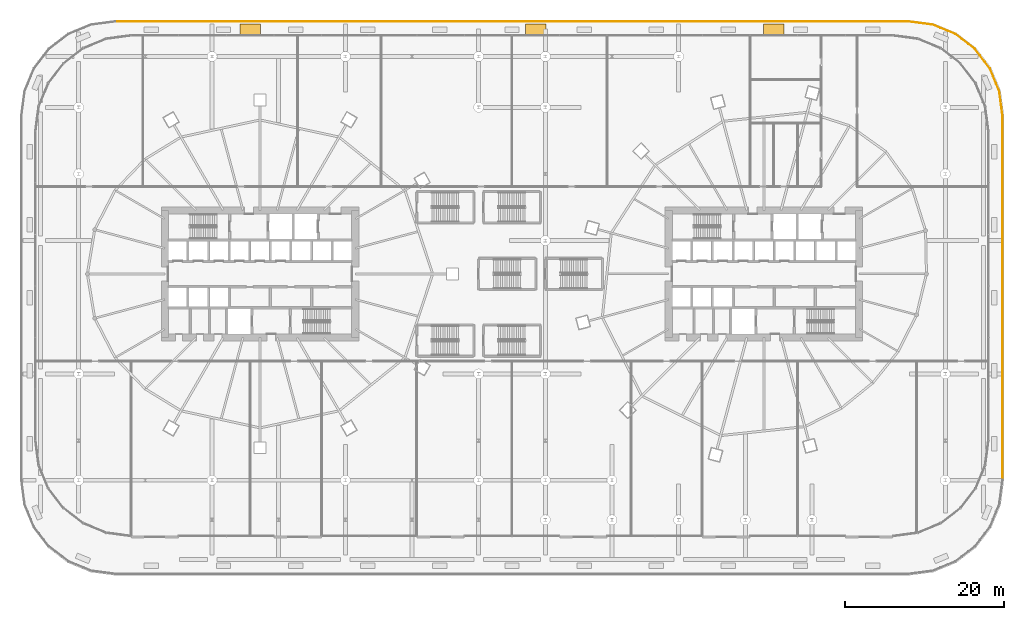
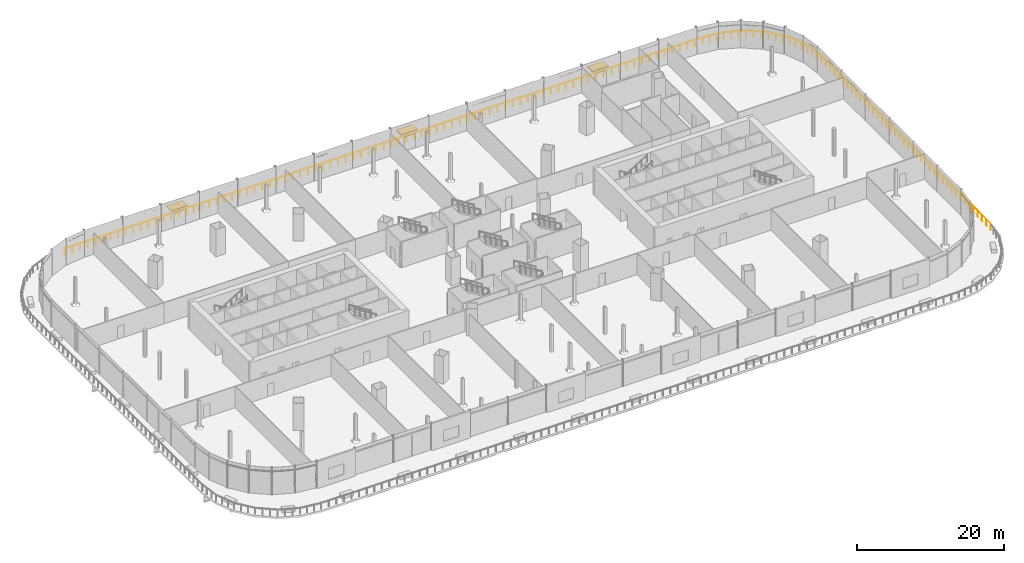
# One storey, part 55 of 56: 3 railings, 3 shading devices.
"""IFC4 building model written with IfcOpenShell, lengths in metres."""

from ifc_helpers import new_model, si_unit, direction, frame, origin, origin_2d, place, context, subcontext, project, spatial, rectangle, circle, extrude, material, layer, layer_set, type_object, element, save


model = new_model("IFC4")

# Units and contexts
model_context = context("Model", 3, precision=1e-05, world=origin(), true_north=direction((0.0, 1.0)))
body_context = subcontext(model_context, "Body", "Model", "MODEL_VIEW")
ifc_project = project(units=[si_unit("LENGTHUNIT", "METRE"), si_unit("AREAUNIT", "SQUARE_METRE"), si_unit("VOLUMEUNIT", "CUBIC_METRE"), si_unit("PLANEANGLEUNIT", "RADIAN"), si_unit("MASSUNIT", "GRAM", prefix="KILO")], contexts=[model_context])

# Site, building, storey
site_placement = place(None, origin())
site = spatial("IfcSite", under=ifc_project, at=site_placement, CompositionType="ELEMENT")
building_placement = place(site_placement, origin())
building = spatial("IfcBuilding", under=site, at=building_placement, Name="Rimbun Link Towers", CompositionType="ELEMENT")
storey_placement = place(building_placement, frame((0.0, 0.0, 16.5)))
storey = spatial("IfcBuildingStorey", under=building, at=storey_placement, Name="L03", CompositionType="ELEMENT", Elevation=16.5)

# Railings
ifc_material_1 = material(Name="Toughened laminated glass, stainless steel grade 316 posts and cap rail", Category="steel")
railing_type = type_object("IfcRailingType", Name="GUARD glass balustrade with stainless cap rail", PredefinedType="BALUSTRADE", material=ifc_material_1)
railing_1_placement = place(storey_placement, frame((61.800048828125, -25.98681640625, 0.0)))
element("IfcRailing", 1, at=railing_1_placement, inside=storey, type_object=railing_type, Name="GUARD glass balustrade", PredefinedType="BALUSTRADE", context=body_context, shape_type="SweptSolid", body=[
    extrude(circle(Radius=0.02392578125, at=origin_2d()), frame((0.0, 0.0, 1.076171875), z_axis=(0.0, 1.0, 0.0), x_axis=(-1.0, 0.0, 0.0)), (0.0, 0.0, 1.0), 45.9736328125),
    extrude(circle(Radius=0.02099609375, at=origin_2d()), origin(), (0.0, 0.0, 1.0), 1.052001953125),
    extrude(circle(Radius=0.02099609375, at=origin_2d()), frame((0.0, 1.1787109375, 0.0)), (0.0, 0.0, 1.0), 1.052001953125),
    extrude(circle(Radius=0.02099609375, at=origin_2d()), frame((0.0, 2.357666015625, 0.0)), (0.0, 0.0, 1.0), 1.052001953125),
    extrude(circle(Radius=0.02099609375, at=origin_2d()), frame((0.0, 3.536376953125, 0.0)), (0.0, 0.0, 1.0), 1.052001953125),
    extrude(circle(Radius=0.02099609375, at=origin_2d()), frame((0.0, 4.71533203125, 0.0)), (0.0, 0.0, 1.0), 1.052001953125),
    extrude(circle(Radius=0.02099609375, at=origin_2d()), frame((0.0, 5.89404296875, 0.0)), (0.0, 0.0, 1.0), 1.052001953125),
    extrude(circle(Radius=0.02099609375, at=origin_2d()), frame((0.0, 7.07275390625, 0.0)), (0.0, 0.0, 1.0), 1.052001953125),
    extrude(circle(Radius=0.02099609375, at=origin_2d()), frame((0.0, 8.251708984375, 0.0)), (0.0, 0.0, 1.0), 1.052001953125),
    extrude(circle(Radius=0.02099609375, at=origin_2d()), frame((0.0, 9.430419921875, 0.0)), (0.0, 0.0, 1.0), 1.052001953125),
    extrude(circle(Radius=0.02099609375, at=origin_2d()), frame((0.0, 10.609375, 0.0)), (0.0, 0.0, 1.0), 1.052001953125),
    extrude(circle(Radius=0.02099609375, at=origin_2d()), frame((0.0, 11.7880859375, 0.0)), (0.0, 0.0, 1.0), 1.052001953125),
    extrude(circle(Radius=0.02099609375, at=origin_2d()), frame((0.0, 12.967041015625, 0.0)), (0.0, 0.0, 1.0), 1.052001953125),
    extrude(circle(Radius=0.02099609375, at=origin_2d()), frame((0.0, 14.145751953125, 0.0)), (0.0, 0.0, 1.0), 1.052001953125),
    extrude(circle(Radius=0.02099609375, at=origin_2d()), frame((0.0, 15.324462890625, 0.0)), (0.0, 0.0, 1.0), 1.052001953125),
    extrude(circle(Radius=0.02099609375, at=origin_2d()), frame((0.0, 16.50341796875, 0.0)), (0.0, 0.0, 1.0), 1.052001953125),
    extrude(circle(Radius=0.02099609375, at=origin_2d()), frame((0.0, 17.68212890625, 0.0)), (0.0, 0.0, 1.0), 1.052001953125),
    extrude(circle(Radius=0.02099609375, at=origin_2d()), frame((0.0, 18.861083984375, 0.0)), (0.0, 0.0, 1.0), 1.052001953125),
    extrude(circle(Radius=0.02099609375, at=origin_2d()), frame((0.0, 20.039794921875, 0.0)), (0.0, 0.0, 1.0), 1.052001953125),
    extrude(circle(Radius=0.02099609375, at=origin_2d()), frame((0.0, 21.218505859375, 0.0)), (0.0, 0.0, 1.0), 1.052001953125),
    extrude(circle(Radius=0.02099609375, at=origin_2d()), frame((0.0, 22.3974609375, 0.0)), (0.0, 0.0, 1.0), 1.052001953125),
    extrude(circle(Radius=0.02099609375, at=origin_2d()), frame((0.0, 23.576171875, 0.0)), (0.0, 0.0, 1.0), 1.052001953125),
    extrude(circle(Radius=0.02099609375, at=origin_2d()), frame((0.0, 24.755126953125, 0.0)), (0.0, 0.0, 1.0), 1.052001953125),
    extrude(circle(Radius=0.02099609375, at=origin_2d()), frame((0.0, 25.933837890625, 0.0)), (0.0, 0.0, 1.0), 1.052001953125),
    extrude(circle(Radius=0.02099609375, at=origin_2d()), frame((0.0, 27.112548828125, 0.0)), (0.0, 0.0, 1.0), 1.052001953125),
    extrude(circle(Radius=0.02099609375, at=origin_2d()), frame((0.0, 28.29150390625, 0.0)), (0.0, 0.0, 1.0), 1.052001953125),
    extrude(circle(Radius=0.02099609375, at=origin_2d()), frame((0.0, 29.47021484375, 0.0)), (0.0, 0.0, 1.0), 1.052001953125),
    extrude(circle(Radius=0.02099609375, at=origin_2d()), frame((0.0, 30.649169921875, 0.0)), (0.0, 0.0, 1.0), 1.052001953125),
    extrude(circle(Radius=0.02099609375, at=origin_2d()), frame((0.0, 31.827880859375, 0.0)), (0.0, 0.0, 1.0), 1.052001953125),
    extrude(circle(Radius=0.02099609375, at=origin_2d()), frame((0.0, 33.006591796875, 0.0)), (0.0, 0.0, 1.0), 1.052001953125),
    extrude(circle(Radius=0.02099609375, at=origin_2d()), frame((0.0, 34.185546875, 0.0)), (0.0, 0.0, 1.0), 1.052001953125),
    extrude(circle(Radius=0.02099609375, at=origin_2d()), frame((0.0, 35.3642578125, 0.0)), (0.0, 0.0, 1.0), 1.052001953125),
    extrude(circle(Radius=0.02099609375, at=origin_2d()), frame((0.0, 36.543212890625, 0.0)), (0.0, 0.0, 1.0), 1.052001953125),
    extrude(circle(Radius=0.02099609375, at=origin_2d()), frame((0.0, 37.721923828125, 0.0)), (0.0, 0.0, 1.0), 1.052001953125),
    extrude(circle(Radius=0.02099609375, at=origin_2d()), frame((0.0, 38.90087890625, 0.0)), (0.0, 0.0, 1.0), 1.052001953125),
    extrude(circle(Radius=0.02099609375, at=origin_2d()), frame((0.0, 40.07958984375, 0.0)), (0.0, 0.0, 1.0), 1.052001953125),
    extrude(circle(Radius=0.02099609375, at=origin_2d()), frame((0.0, 41.25830078125, 0.0)), (0.0, 0.0, 1.0), 1.052001953125),
    extrude(circle(Radius=0.02099609375, at=origin_2d()), frame((0.0, 42.437255859375, 0.0)), (0.0, 0.0, 1.0), 1.052001953125),
    extrude(circle(Radius=0.02099609375, at=origin_2d()), frame((0.0, 43.615966796875, 0.0)), (0.0, 0.0, 1.0), 1.052001953125),
    extrude(circle(Radius=0.02099609375, at=origin_2d()), frame((0.0, 44.794921875, 0.0)), (0.0, 0.0, 1.0), 1.052001953125),
    extrude(circle(Radius=0.02099609375, at=origin_2d()), frame((0.0, 45.9736328125, 0.0)), (0.0, 0.0, 1.0), 1.052001953125),
])
railing_2_placement = place(storey_placement, frame((61.800048828125, 19.98681640625, 0.0)))
element("IfcRailing", 2, at=railing_2_placement, inside=storey, type_object=railing_type, Name="GUARD glass balustrade", PredefinedType="BALUSTRADE", context=body_context, shape_type="SweptSolid", body=[
    extrude(circle(Radius=0.02392578125, at=origin_2d()), frame((0.0, 0.0, 1.076171875), z_axis=(-0.130540259305, 0.991443009305, 0.0), x_axis=(-0.991443009305, -0.130540259305, 0.0)), (0.0, 0.0, 1.0), 3.09326171875),
    extrude(circle(Radius=0.02392578125, at=origin_2d()), frame((-0.40380859375, 3.06689453125, 1.076171875), z_axis=(-0.382706499462, 0.92386997747, 0.0), x_axis=(-0.92386997747, -0.382706499462, 0.0)), (0.0, 0.0, 1.0), 3.079833984375),
    extrude(circle(Radius=0.02392578125, at=origin_2d()), frame((-1.58251953125, 5.912353515625, 1.076171875), z_axis=(-0.608702762794, 0.793398353015, 0.0), x_axis=(-0.793398353015, -0.608702762794, 0.0)), (0.0, 0.0, 1.0), 3.079833984375),
    extrude(circle(Radius=0.02392578125, at=origin_2d()), frame((-3.457275390625, 8.35595703125, 1.076171875), z_axis=(-0.793398353015, 0.608702762794, 0.0), x_axis=(-0.608702762794, -0.793398353015, 0.0)), (0.0, 0.0, 1.0), 3.079833984375),
    extrude(circle(Radius=0.02392578125, at=origin_2d()), frame((-5.90087890625, 10.230712890625, 1.076171875), z_axis=(-0.92386997747, 0.382706499462, 0.0), x_axis=(-0.382706499462, -0.92386997747, 0.0)), (0.0, 0.0, 1.0), 3.079833984375),
    extrude(circle(Radius=0.02392578125, at=origin_2d()), frame((-8.746337890625, 11.409423828125, 1.076171875), z_axis=(-0.991443009305, 0.130540259305, 0.0), x_axis=(-0.130540259305, -0.991443009305, 0.0)), (0.0, 0.0, 1.0), 3.09326171875),
    extrude(circle(Radius=0.02099609375, at=origin_2d()), origin(), (0.0, 0.0, 1.0), 1.052001953125),
    extrude(circle(Radius=0.02099609375, at=origin_2d()), frame((-0.134521484375, 1.022216796875, 0.0)), (0.0, 0.0, 1.0), 1.052001953125),
    extrude(circle(Radius=0.02099609375, at=origin_2d()), frame((-0.269287109375, 2.044677734375, 0.0)), (0.0, 0.0, 1.0), 1.052001953125),
    extrude(circle(Radius=0.02099609375, at=origin_2d()), frame((-0.40380859375, 3.06689453125, 0.0)), (0.0, 0.0, 1.0), 1.052001953125),
    extrude(circle(Radius=0.02099609375, at=origin_2d()), frame((-0.796630859375, 4.015380859375, 0.0)), (0.0, 0.0, 1.0), 1.052001953125),
    extrude(circle(Radius=0.02099609375, at=origin_2d()), frame((-1.189697265625, 4.9638671875, 0.0)), (0.0, 0.0, 1.0), 1.052001953125),
    extrude(circle(Radius=0.02099609375, at=origin_2d()), frame((-1.58251953125, 5.912353515625, 0.0)), (0.0, 0.0, 1.0), 1.052001953125),
    extrude(circle(Radius=0.02099609375, at=origin_2d()), frame((-2.20751953125, 6.726806640625, 0.0)), (0.0, 0.0, 1.0), 1.052001953125),
    extrude(circle(Radius=0.02099609375, at=origin_2d()), frame((-2.832275390625, 7.54150390625, 0.0)), (0.0, 0.0, 1.0), 1.052001953125),
    extrude(circle(Radius=0.02099609375, at=origin_2d()), frame((-3.457275390625, 8.35595703125, 0.0)), (0.0, 0.0, 1.0), 1.052001953125),
    extrude(circle(Radius=0.02099609375, at=origin_2d()), frame((-4.271728515625, 8.98095703125, 0.0)), (0.0, 0.0, 1.0), 1.052001953125),
    extrude(circle(Radius=0.02099609375, at=origin_2d()), frame((-5.08642578125, 9.605712890625, 0.0)), (0.0, 0.0, 1.0), 1.052001953125),
    extrude(circle(Radius=0.02099609375, at=origin_2d()), frame((-5.90087890625, 10.230712890625, 0.0)), (0.0, 0.0, 1.0), 1.052001953125),
    extrude(circle(Radius=0.02099609375, at=origin_2d()), frame((-6.849365234375, 10.62353515625, 0.0)), (0.0, 0.0, 1.0), 1.052001953125),
    extrude(circle(Radius=0.02099609375, at=origin_2d()), frame((-7.7978515625, 11.0166015625, 0.0)), (0.0, 0.0, 1.0), 1.052001953125),
    extrude(circle(Radius=0.02099609375, at=origin_2d()), frame((-8.746337890625, 11.409423828125, 0.0)), (0.0, 0.0, 1.0), 1.052001953125),
    extrude(circle(Radius=0.02099609375, at=origin_2d()), frame((-9.7685546875, 11.5439453125, 0.0)), (0.0, 0.0, 1.0), 1.052001953125),
    extrude(circle(Radius=0.02099609375, at=origin_2d()), frame((-10.791015625, 11.6787109375, 0.0)), (0.0, 0.0, 1.0), 1.052001953125),
    extrude(circle(Radius=0.02099609375, at=origin_2d()), frame((-11.813232421875, 11.813232421875, 0.0)), (0.0, 0.0, 1.0), 1.052001953125),
])
railing_3_placement = place(storey_placement, frame((49.98681640625, 31.800048828125, 0.0)))
element("IfcRailing", 3, at=railing_3_placement, inside=storey, type_object=railing_type, Name="GUARD glass balustrade", PredefinedType="BALUSTRADE", context=body_context, shape_type="SweptSolid", body=[
    extrude(circle(Radius=0.02392578125, at=origin_2d()), frame((0.0, 0.0, 1.076171875), z_axis=(-1.0, 0.0, 0.0), x_axis=(0.0, -1.0, 0.0)), (0.0, 0.0, 1.0), 99.9736328125),
    extrude(circle(Radius=0.02099609375, at=origin_2d()), origin(), (0.0, 0.0, 1.0), 1.052001953125),
    extrude(circle(Radius=0.02099609375, at=origin_2d()), frame((-1.190185546875, 0.0, 0.0)), (0.0, 0.0, 1.0), 1.052001953125),
    extrude(circle(Radius=0.02099609375, at=origin_2d()), frame((-2.38037109375, 0.0, 0.0)), (0.0, 0.0, 1.0), 1.052001953125),
    extrude(circle(Radius=0.02099609375, at=origin_2d()), frame((-3.570556640625, 0.0, 0.0)), (0.0, 0.0, 1.0), 1.052001953125),
    extrude(circle(Radius=0.02099609375, at=origin_2d()), frame((-4.7607421875, 0.0, 0.0)), (0.0, 0.0, 1.0), 1.052001953125),
    extrude(circle(Radius=0.02099609375, at=origin_2d()), frame((-5.950927734375, 0.0, 0.0)), (0.0, 0.0, 1.0), 1.052001953125),
    extrude(circle(Radius=0.02099609375, at=origin_2d()), frame((-7.140869140625, 0.0, 0.0)), (0.0, 0.0, 1.0), 1.052001953125),
    extrude(circle(Radius=0.02099609375, at=origin_2d()), frame((-8.3310546875, 0.0, 0.0)), (0.0, 0.0, 1.0), 1.052001953125),
    extrude(circle(Radius=0.02099609375, at=origin_2d()), frame((-9.521240234375, 0.0, 0.0)), (0.0, 0.0, 1.0), 1.052001953125),
    extrude(circle(Radius=0.02099609375, at=origin_2d()), frame((-10.71142578125, 0.0, 0.0)), (0.0, 0.0, 1.0), 1.052001953125),
    extrude(circle(Radius=0.02099609375, at=origin_2d()), frame((-11.901611328125, 0.0, 0.0)), (0.0, 0.0, 1.0), 1.052001953125),
    extrude(circle(Radius=0.02099609375, at=origin_2d()), frame((-13.091796875, 0.0, 0.0)), (0.0, 0.0, 1.0), 1.052001953125),
    extrude(circle(Radius=0.02099609375, at=origin_2d()), frame((-14.281982421875, 0.0, 0.0)), (0.0, 0.0, 1.0), 1.052001953125),
    extrude(circle(Radius=0.02099609375, at=origin_2d()), frame((-15.47216796875, 0.0, 0.0)), (0.0, 0.0, 1.0), 1.052001953125),
    extrude(circle(Radius=0.02099609375, at=origin_2d()), frame((-16.662353515625, 0.0, 0.0)), (0.0, 0.0, 1.0), 1.052001953125),
    extrude(circle(Radius=0.02099609375, at=origin_2d()), frame((-17.8525390625, 0.0, 0.0)), (0.0, 0.0, 1.0), 1.052001953125),
    extrude(circle(Radius=0.02099609375, at=origin_2d()), frame((-19.04248046875, 0.0, 0.0)), (0.0, 0.0, 1.0), 1.052001953125),
    extrude(circle(Radius=0.02099609375, at=origin_2d()), frame((-20.232666015625, 0.0, 0.0)), (0.0, 0.0, 1.0), 1.052001953125),
    extrude(circle(Radius=0.02099609375, at=origin_2d()), frame((-21.4228515625, 0.0, 0.0)), (0.0, 0.0, 1.0), 1.052001953125),
    extrude(circle(Radius=0.02099609375, at=origin_2d()), frame((-22.613037109375, 0.0, 0.0)), (0.0, 0.0, 1.0), 1.052001953125),
    extrude(circle(Radius=0.02099609375, at=origin_2d()), frame((-23.80322265625, 0.0, 0.0)), (0.0, 0.0, 1.0), 1.052001953125),
    extrude(circle(Radius=0.02099609375, at=origin_2d()), frame((-24.993408203125, 0.0, 0.0)), (0.0, 0.0, 1.0), 1.052001953125),
    extrude(circle(Radius=0.02099609375, at=origin_2d()), frame((-26.18359375, 0.0, 0.0)), (0.0, 0.0, 1.0), 1.052001953125),
    extrude(circle(Radius=0.02099609375, at=origin_2d()), frame((-27.373779296875, 0.0, 0.0)), (0.0, 0.0, 1.0), 1.052001953125),
    extrude(circle(Radius=0.02099609375, at=origin_2d()), frame((-28.56396484375, 0.0, 0.0)), (0.0, 0.0, 1.0), 1.052001953125),
    extrude(circle(Radius=0.02099609375, at=origin_2d()), frame((-29.754150390625, 0.0, 0.0)), (0.0, 0.0, 1.0), 1.052001953125),
    extrude(circle(Radius=0.02099609375, at=origin_2d()), frame((-30.9443359375, 0.0, 0.0)), (0.0, 0.0, 1.0), 1.052001953125),
    extrude(circle(Radius=0.02099609375, at=origin_2d()), frame((-32.13427734375, 0.0, 0.0)), (0.0, 0.0, 1.0), 1.052001953125),
    extrude(circle(Radius=0.02099609375, at=origin_2d()), frame((-33.324462890625, 0.0, 0.0)), (0.0, 0.0, 1.0), 1.052001953125),
    extrude(circle(Radius=0.02099609375, at=origin_2d()), frame((-34.5146484375, 0.0, 0.0)), (0.0, 0.0, 1.0), 1.052001953125),
    extrude(circle(Radius=0.02099609375, at=origin_2d()), frame((-35.704833984375, 0.0, 0.0)), (0.0, 0.0, 1.0), 1.052001953125),
    extrude(circle(Radius=0.02099609375, at=origin_2d()), frame((-36.89501953125, 0.0, 0.0)), (0.0, 0.0, 1.0), 1.052001953125),
    extrude(circle(Radius=0.02099609375, at=origin_2d()), frame((-38.085205078125, 0.0, 0.0)), (0.0, 0.0, 1.0), 1.052001953125),
    extrude(circle(Radius=0.02099609375, at=origin_2d()), frame((-39.275390625, 0.0, 0.0)), (0.0, 0.0, 1.0), 1.052001953125),
    extrude(circle(Radius=0.02099609375, at=origin_2d()), frame((-40.465576171875, 0.0, 0.0)), (0.0, 0.0, 1.0), 1.052001953125),
    extrude(circle(Radius=0.02099609375, at=origin_2d()), frame((-41.65576171875, 0.0, 0.0)), (0.0, 0.0, 1.0), 1.052001953125),
    extrude(circle(Radius=0.02099609375, at=origin_2d()), frame((-42.845947265625, 0.0, 0.0)), (0.0, 0.0, 1.0), 1.052001953125),
    extrude(circle(Radius=0.02099609375, at=origin_2d()), frame((-44.035888671875, 0.0, 0.0)), (0.0, 0.0, 1.0), 1.052001953125),
    extrude(circle(Radius=0.02099609375, at=origin_2d()), frame((-45.22607421875, 0.0, 0.0)), (0.0, 0.0, 1.0), 1.052001953125),
    extrude(circle(Radius=0.02099609375, at=origin_2d()), frame((-46.416259765625, 0.0, 0.0)), (0.0, 0.0, 1.0), 1.052001953125),
    extrude(circle(Radius=0.02099609375, at=origin_2d()), frame((-47.6064453125, 0.0, 0.0)), (0.0, 0.0, 1.0), 1.052001953125),
    extrude(circle(Radius=0.02099609375, at=origin_2d()), frame((-48.796630859375, 0.0, 0.0)), (0.0, 0.0, 1.0), 1.052001953125),
    extrude(circle(Radius=0.02099609375, at=origin_2d()), frame((-49.98681640625, 0.0, 0.0)), (0.0, 0.0, 1.0), 1.052001953125),
    extrude(circle(Radius=0.02099609375, at=origin_2d()), frame((-51.177001953125, 0.0, 0.0)), (0.0, 0.0, 1.0), 1.052001953125),
    extrude(circle(Radius=0.02099609375, at=origin_2d()), frame((-52.3671875, 0.0, 0.0)), (0.0, 0.0, 1.0), 1.052001953125),
    extrude(circle(Radius=0.02099609375, at=origin_2d()), frame((-53.557373046875, 0.0, 0.0)), (0.0, 0.0, 1.0), 1.052001953125),
    extrude(circle(Radius=0.02099609375, at=origin_2d()), frame((-54.74755859375, 0.0, 0.0)), (0.0, 0.0, 1.0), 1.052001953125),
    extrude(circle(Radius=0.02099609375, at=origin_2d()), frame((-55.937744140625, 0.0, 0.0)), (0.0, 0.0, 1.0), 1.052001953125),
    extrude(circle(Radius=0.02099609375, at=origin_2d()), frame((-57.127685546875, 0.0, 0.0)), (0.0, 0.0, 1.0), 1.052001953125),
    extrude(circle(Radius=0.02099609375, at=origin_2d()), frame((-58.31787109375, 0.0, 0.0)), (0.0, 0.0, 1.0), 1.052001953125),
    extrude(circle(Radius=0.02099609375, at=origin_2d()), frame((-59.508056640625, 0.0, 0.0)), (0.0, 0.0, 1.0), 1.052001953125),
    extrude(circle(Radius=0.02099609375, at=origin_2d()), frame((-60.6982421875, 0.0, 0.0)), (0.0, 0.0, 1.0), 1.052001953125),
    extrude(circle(Radius=0.02099609375, at=origin_2d()), frame((-61.888427734375, 0.0, 0.0)), (0.0, 0.0, 1.0), 1.052001953125),
    extrude(circle(Radius=0.02099609375, at=origin_2d()), frame((-63.07861328125, 0.0, 0.0)), (0.0, 0.0, 1.0), 1.052001953125),
    extrude(circle(Radius=0.02099609375, at=origin_2d()), frame((-64.268798828125, 0.0, 0.0)), (0.0, 0.0, 1.0), 1.052001953125),
    extrude(circle(Radius=0.02099609375, at=origin_2d()), frame((-65.458984375, 0.0, 0.0)), (0.0, 0.0, 1.0), 1.052001953125),
    extrude(circle(Radius=0.02099609375, at=origin_2d()), frame((-66.649169921875, 0.0, 0.0)), (0.0, 0.0, 1.0), 1.052001953125),
    extrude(circle(Radius=0.02099609375, at=origin_2d()), frame((-67.83935546875, 0.0, 0.0)), (0.0, 0.0, 1.0), 1.052001953125),
    extrude(circle(Radius=0.02099609375, at=origin_2d()), frame((-69.029296875, 0.0, 0.0)), (0.0, 0.0, 1.0), 1.052001953125),
    extrude(circle(Radius=0.02099609375, at=origin_2d()), frame((-70.219482421875, 0.0, 0.0)), (0.0, 0.0, 1.0), 1.052001953125),
    extrude(circle(Radius=0.02099609375, at=origin_2d()), frame((-71.40966796875, 0.0, 0.0)), (0.0, 0.0, 1.0), 1.052001953125),
    extrude(circle(Radius=0.02099609375, at=origin_2d()), frame((-72.599853515625, 0.0, 0.0)), (0.0, 0.0, 1.0), 1.052001953125),
    extrude(circle(Radius=0.02099609375, at=origin_2d()), frame((-73.7900390625, 0.0, 0.0)), (0.0, 0.0, 1.0), 1.052001953125),
    extrude(circle(Radius=0.02099609375, at=origin_2d()), frame((-74.980224609375, 0.0, 0.0)), (0.0, 0.0, 1.0), 1.052001953125),
    extrude(circle(Radius=0.02099609375, at=origin_2d()), frame((-76.17041015625, 0.0, 0.0)), (0.0, 0.0, 1.0), 1.052001953125),
    extrude(circle(Radius=0.02099609375, at=origin_2d()), frame((-77.360595703125, 0.0, 0.0)), (0.0, 0.0, 1.0), 1.052001953125),
    extrude(circle(Radius=0.02099609375, at=origin_2d()), frame((-78.55078125, 0.0, 0.0)), (0.0, 0.0, 1.0), 1.052001953125),
    extrude(circle(Radius=0.02099609375, at=origin_2d()), frame((-79.740966796875, 0.0, 0.0)), (0.0, 0.0, 1.0), 1.052001953125),
    extrude(circle(Radius=0.02099609375, at=origin_2d()), frame((-80.93115234375, 0.0, 0.0)), (0.0, 0.0, 1.0), 1.052001953125),
    extrude(circle(Radius=0.02099609375, at=origin_2d()), frame((-82.12109375, 0.0, 0.0)), (0.0, 0.0, 1.0), 1.052001953125),
    extrude(circle(Radius=0.02099609375, at=origin_2d()), frame((-83.311279296875, 0.0, 0.0)), (0.0, 0.0, 1.0), 1.052001953125),
    extrude(circle(Radius=0.02099609375, at=origin_2d()), frame((-84.50146484375, 0.0, 0.0)), (0.0, 0.0, 1.0), 1.052001953125),
    extrude(circle(Radius=0.02099609375, at=origin_2d()), frame((-85.691650390625, 0.0, 0.0)), (0.0, 0.0, 1.0), 1.052001953125),
    extrude(circle(Radius=0.02099609375, at=origin_2d()), frame((-86.8818359375, 0.0, 0.0)), (0.0, 0.0, 1.0), 1.052001953125),
    extrude(circle(Radius=0.02099609375, at=origin_2d()), frame((-88.072021484375, 0.0, 0.0)), (0.0, 0.0, 1.0), 1.052001953125),
    extrude(circle(Radius=0.02099609375, at=origin_2d()), frame((-89.26220703125, 0.0, 0.0)), (0.0, 0.0, 1.0), 1.052001953125),
    extrude(circle(Radius=0.02099609375, at=origin_2d()), frame((-90.452392578125, 0.0, 0.0)), (0.0, 0.0, 1.0), 1.052001953125),
    extrude(circle(Radius=0.02099609375, at=origin_2d()), frame((-91.642578125, 0.0, 0.0)), (0.0, 0.0, 1.0), 1.052001953125),
    extrude(circle(Radius=0.02099609375, at=origin_2d()), frame((-92.832763671875, 0.0, 0.0)), (0.0, 0.0, 1.0), 1.052001953125),
    extrude(circle(Radius=0.02099609375, at=origin_2d()), frame((-94.022705078125, 0.0, 0.0)), (0.0, 0.0, 1.0), 1.052001953125),
    extrude(circle(Radius=0.02099609375, at=origin_2d()), frame((-95.212890625, 0.0, 0.0)), (0.0, 0.0, 1.0), 1.052001953125),
    extrude(circle(Radius=0.02099609375, at=origin_2d()), frame((-96.403076171875, 0.0, 0.0)), (0.0, 0.0, 1.0), 1.052001953125),
    extrude(circle(Radius=0.02099609375, at=origin_2d()), frame((-97.59326171875, 0.0, 0.0)), (0.0, 0.0, 1.0), 1.052001953125),
    extrude(circle(Radius=0.02099609375, at=origin_2d()), frame((-98.783447265625, 0.0, 0.0)), (0.0, 0.0, 1.0), 1.052001953125),
    extrude(circle(Radius=0.02099609375, at=origin_2d()), frame((-99.9736328125, 0.0, 0.0)), (0.0, 0.0, 1.0), 1.052001953125),
])

# Shading devices
ifc_material_2 = material(Name="Aluminium 6063-T6 louvre blades in a powder-coated aluminium frame", Category="aluminium")
ifc_layer = layer(ifc_material_2, 0.139892578125)
ifc_layer_set = layer_set([ifc_layer], Name="RAIN CANOPY louvre blades 2600X1400")
shading_device_type = type_object("IfcShadingDeviceType", Name="RAIN CANOPY louvre blades 2600X1400", PredefinedType="AWNING", material=ifc_layer_set)
for number, where, z_axis, x_axis, name in (
    (4, (33.0, 30.800048828125, 2.7001953125), (0.0, 0.0, 1.0), (1.0, 0.0, 0.0), "RAIN CANOPY over terrace door"),
    (5, (3.0, 30.800048828125, 2.7001953125), (0.0, 0.0, 1.0), (1.0, 0.0, 0.0), "RAIN CANOPY over terrace door"),
    (6, (-33.0, 30.800048828125, 2.7001953125), (0.0, 0.0, 1.0), (1.0, 0.0, 0.0), "RAIN CANOPY over terrace door"),
):
    element("IfcShadingDevice", number, at=place(storey_placement, frame(where, z_axis=z_axis, x_axis=x_axis)), inside=storey, type_object=shading_device_type, Name=name, PredefinedType="AWNING", context=body_context, shape_type="SweptSolid", body=[
        extrude(rectangle(XDim=2.60009765625, YDim=1.39990234375, at=origin_2d()), origin(), (0.0, 0.0, 1.0), 0.139892578125),
    ])

save(model, "model.ifc")
